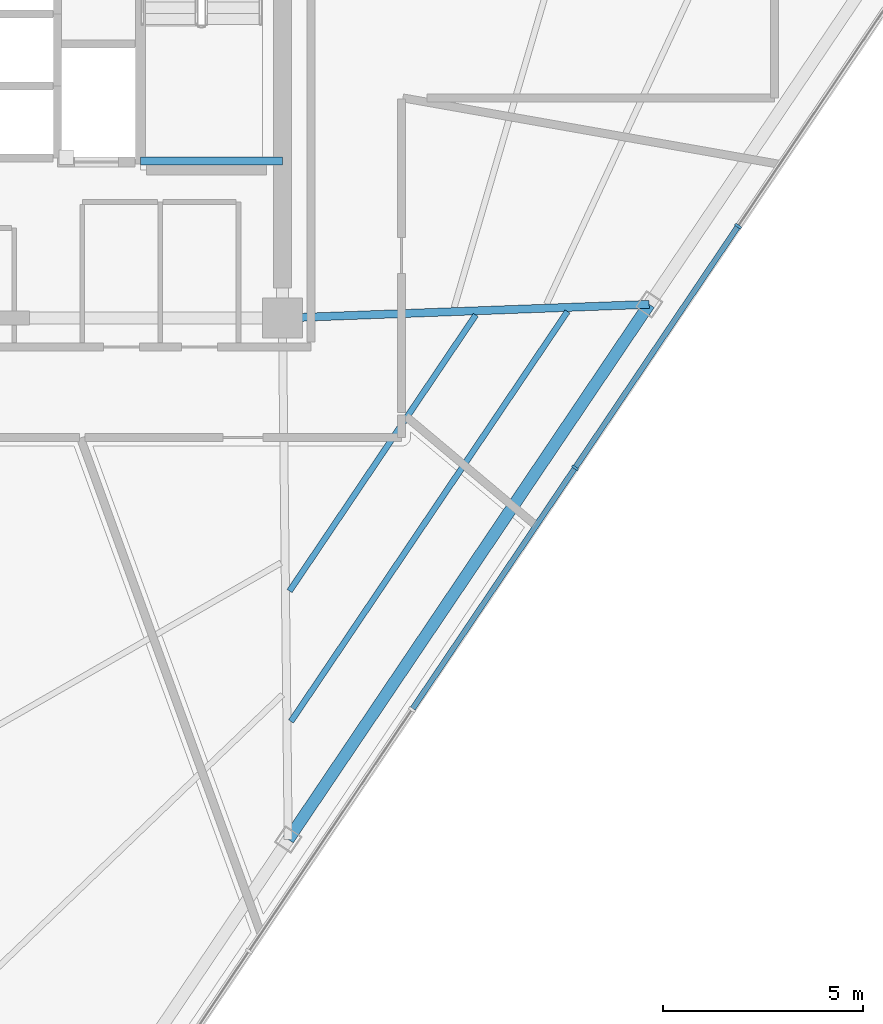
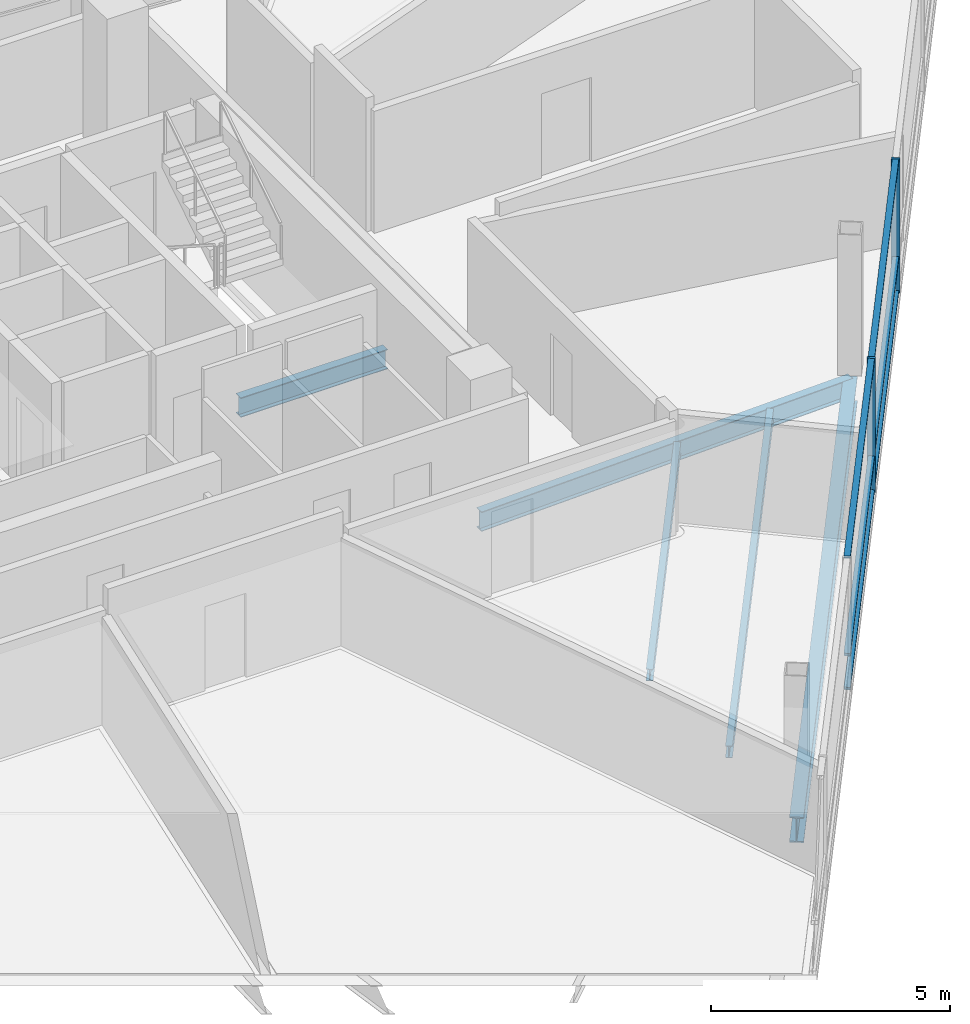
# One storey, part 4 of 14: 8 members, 5 beams, 1 element without a shape of its own.
"""IFC4 building model written with IfcOpenShell, lengths in metres."""

from ifc_helpers import new_model, si_unit, direction, frame, origin, origin_2d, place, context, subcontext, project, spatial, rectangle, i_section, extrude, material, layer, layer_set, material_profile, profile_set, type_object, element, aggregate, save


model = new_model("IFC4")

# Units and contexts
model_context = context("Model", 3, precision=1e-05, world=origin(), true_north=direction((0.0, 1.0)))
body_context = subcontext(model_context, "Body", "Model", "MODEL_VIEW")
ifc_project = project(units=[si_unit("LENGTHUNIT", "METRE"), si_unit("AREAUNIT", "SQUARE_METRE"), si_unit("VOLUMEUNIT", "CUBIC_METRE"), si_unit("PLANEANGLEUNIT", "RADIAN"), si_unit("MASSUNIT", "GRAM", prefix="KILO")], contexts=[model_context])

# Site, building, storey
site_placement = place(None, origin())
site = spatial("IfcSite", under=ifc_project, at=site_placement, CompositionType="ELEMENT")
building_placement = place(site_placement, origin())
building = spatial("IfcBuilding", under=site, at=building_placement, Name="Tharavind Bronze Gate", CompositionType="ELEMENT")
storey_placement = place(building_placement, frame((0.0, 0.0, 237.85009765625)))
storey = spatial("IfcBuildingStorey", under=building, at=storey_placement, Name="L61", CompositionType="ELEMENT", Elevation=237.85009765625)

# Curtain wall, members
ifc_material_1 = material(Name="Anodised Bronze Aluminium", Category="aluminium")
ifc_layer = layer(ifc_material_1, 0.219970703125)
ifc_layer_set = layer_set([ifc_layer], Name="Anodised Bronze Aluminium")
curtain_wall_type = type_object("IfcCurtainWallType", Name="UNITISED CURTAIN WALL UPPER OFFICE", PredefinedType="USERDEFINED", material=ifc_layer_set)
curtain_wall_placement = place(storey_placement, origin())
curtain_wall = element("IfcCurtainWall", 1, at=curtain_wall_placement, inside=storey, type_object=curtain_wall_type, Name="L61 unitised curtain wall upper office CW-L61-S2", ObjectType="UNITISED CURTAIN WALL", PredefinedType="USERDEFINED")
member_type_1 = type_object("IfcMemberType", Name="CURTAIN WALL BRONZE MULLION 65X180", PredefinedType="MULLION", material=ifc_material_1)
member_1_placement = place(storey_placement, frame((16.212890625, -11.34326171875, 0.0), z_axis=(0.0, 0.0, 1.0), x_axis=(0.559192903471, 0.829037572555, 0.0)))
member_1 = element("IfcMember", 2, at=member_1_placement, type_object=member_type_1, Name="CW-L61-S2 mullion 5", PredefinedType="MULLION", context=body_context, shape_type="SweptSolid", body=[
    extrude(rectangle(XDim=0.06494140625, YDim=0.179931640625, at=origin_2d()), origin(), (0.0, 0.0, 1.0), 3.419921875),
])
member_2_placement = place(storey_placement, frame((20.285400390625, -5.305419921875, 0.0), z_axis=(0.0, 0.0, 1.0), x_axis=(0.559192903471, 0.829037572555, 0.0)))
member_2 = element("IfcMember", 3, at=member_2_placement, type_object=member_type_1, Name="CW-L61-S2 mullion 6", PredefinedType="MULLION", context=body_context, shape_type="SweptSolid", body=[
    extrude(rectangle(XDim=0.06494140625, YDim=0.179931640625, at=origin_2d()), origin(), (0.0, 0.0, 1.0), 3.419921875),
])
member_type_2 = type_object("IfcMemberType", Name="CURTAIN WALL BRONZE TRANSOM 65X140", PredefinedType="USERDEFINED", material=ifc_material_1)
member_3_placement = place(storey_placement, frame((14.176513671875, -14.3623046875, 0.0), z_axis=(0.0, 0.0, 1.0), x_axis=(0.559192903471, 0.829037572555, 0.0)))
member_3 = element("IfcMember", 4, at=member_3_placement, type_object=member_type_2, Name="CW-L61-S2 transom TB4", ObjectType="TRANSOM", PredefinedType="USERDEFINED", context=body_context, shape_type="SweptSolid", body=[
    extrude(rectangle(XDim=7.22998046875, YDim=0.139892578125, at=origin_2d()), origin(), (0.0, 0.0, 1.0), 0.06494140625),
])
member_4_placement = place(storey_placement, frame((14.176513671875, -14.3623046875, 0.867431640625), z_axis=(0.0, 0.0, 1.0), x_axis=(0.559192903471, 0.829037572555, 0.0)))
member_4 = element("IfcMember", 5, at=member_4_placement, type_object=member_type_2, Name="CW-L61-S2 transom TS4", ObjectType="TRANSOM", PredefinedType="USERDEFINED", context=body_context, shape_type="SweptSolid", body=[
    extrude(rectangle(XDim=7.22998046875, YDim=0.139892578125, at=origin_2d()), origin(), (0.0, 0.0, 1.0), 0.06494140625),
])
member_5_placement = place(storey_placement, frame((14.176513671875, -14.3623046875, 3.35498046875), z_axis=(0.0, 0.0, 1.0), x_axis=(0.559192903471, 0.829037572555, 0.0)))
member_5 = element("IfcMember", 6, at=member_5_placement, type_object=member_type_2, Name="CW-L61-S2 transom TT4", ObjectType="TRANSOM", PredefinedType="USERDEFINED", context=body_context, shape_type="SweptSolid", body=[
    extrude(rectangle(XDim=7.22998046875, YDim=0.139892578125, at=origin_2d()), origin(), (0.0, 0.0, 1.0), 0.06494140625),
])
member_6_placement = place(storey_placement, frame((18.2490234375, -8.324462890625, 0.0), z_axis=(0.0, 0.0, 1.0), x_axis=(0.559192903471, 0.829037572555, 0.0)))
member_6 = element("IfcMember", 7, at=member_6_placement, type_object=member_type_2, Name="CW-L61-S2 transom TB5", ObjectType="TRANSOM", PredefinedType="USERDEFINED", context=body_context, shape_type="SweptSolid", body=[
    extrude(rectangle(XDim=7.22998046875, YDim=0.139892578125, at=origin_2d()), origin(), (0.0, 0.0, 1.0), 0.06494140625),
])
member_7_placement = place(storey_placement, frame((18.2490234375, -8.324462890625, 0.867431640625), z_axis=(0.0, 0.0, 1.0), x_axis=(0.559192903471, 0.829037572555, 0.0)))
member_7 = element("IfcMember", 8, at=member_7_placement, type_object=member_type_2, Name="CW-L61-S2 transom TS5", ObjectType="TRANSOM", PredefinedType="USERDEFINED", context=body_context, shape_type="SweptSolid", body=[
    extrude(rectangle(XDim=7.22998046875, YDim=0.139892578125, at=origin_2d()), origin(), (0.0, 0.0, 1.0), 0.06494140625),
])
member_8_placement = place(storey_placement, frame((18.2490234375, -8.324462890625, 3.35498046875), z_axis=(0.0, 0.0, 1.0), x_axis=(0.559192903471, 0.829037572555, 0.0)))
member_8 = element("IfcMember", 9, at=member_8_placement, type_object=member_type_2, Name="CW-L61-S2 transom TT5", ObjectType="TRANSOM", PredefinedType="USERDEFINED", context=body_context, shape_type="SweptSolid", body=[
    extrude(rectangle(XDim=7.22998046875, YDim=0.139892578125, at=origin_2d()), origin(), (0.0, 0.0, 1.0), 0.06494140625),
])
aggregate(curtain_wall, [member_1, member_2, member_3, member_4, member_5, member_6, member_7, member_8])

# Beams
ifc_material_2 = material(Name="Steel S355", Category="steel")
ifc_material_profile_1 = material_profile(ifc_material_2, i_section(OverallWidth=0.300048828125, OverallDepth=0.64990234375, WebThickness=0.01611328125, FlangeThickness=0.031005859375, at=origin_2d()), Name="HE650B")
ifc_profile_set_1 = profile_set([ifc_material_profile_1], Name="Steel S355")
beam_type_1 = type_object("IfcBeamType", Name="PRIMARY GIRDER HE650B", PredefinedType="USERDEFINED", material=ifc_profile_set_1)
beam_1_placement = place(storey_placement, frame((9.045654296875, -20.627685546875, -0.505126953125), z_axis=(0.559202164633, 0.829031325747, 0.0), x_axis=(-0.829031325747, 0.559202164633, 0.0)))
element("IfcBeam", 10, at=beam_1_placement, inside=storey, type_object=beam_type_1, Name="L61 primary girder he650b BM-L61-PRG06", ObjectType="GIRDER", PredefinedType="USERDEFINED", context=body_context, shape_type="SweptSolid", body=[
    extrude(i_section(OverallWidth=0.300048828125, OverallDepth=0.64990234375, WebThickness=0.01611328125, FlangeThickness=0.031005859375, at=origin_2d()), origin(), (0.0, 0.0, 1.0), 16.127197265625),
])
ifc_material_profile_2 = material_profile(ifc_material_2, i_section(OverallWidth=0.199951171875, OverallDepth=0.5, WebThickness=0.01025390625, FlangeThickness=0.01611328125, at=origin_2d()), Name="IPE500")
ifc_profile_set_2 = profile_set([ifc_material_profile_2], Name="Steel S355")
beam_type_2 = type_object("IfcBeamType", Name="PRIMARY GIRDER IPE500", PredefinedType="USERDEFINED", material=ifc_profile_set_2)
beam_2_placement = place(storey_placement, frame((5.35009765625, -3.679931640625, 1.349853515625), z_axis=(1.0, 0.0, 0.0), x_axis=(0.0, 1.0, 0.0)))
element("IfcBeam", 11, at=beam_2_placement, inside=storey, type_object=beam_type_2, Name="L61 primary girder ipe500 BM-LD-ST2-L61-1", ObjectType="GIRDER", PredefinedType="USERDEFINED", context=body_context, shape_type="SweptSolid", body=[
    extrude(i_section(OverallWidth=0.199951171875, OverallDepth=0.5, WebThickness=0.01025390625, FlangeThickness=0.01611328125, at=origin_2d()), origin(), (0.0, 0.0, 1.0), 3.5498046875),
])
beam_3_placement = place(storey_placement, frame((18.06396484375, -7.2578125, -0.43017578125), z_axis=(-0.999303187499, -0.037324783378, 0.0), x_axis=(0.037324783378, -0.999303187499, 0.0)))
element("IfcBeam", 12, at=beam_3_placement, inside=storey, type_object=beam_type_2, Name="L61 primary girder ipe500 BM-L61-RAD07", ObjectType="GIRDER", PredefinedType="USERDEFINED", context=body_context, shape_type="SweptSolid", body=[
    extrude(i_section(OverallWidth=0.199951171875, OverallDepth=0.5, WebThickness=0.01025390625, FlangeThickness=0.01611328125, at=origin_2d()), origin(), (0.0, 0.0, 1.0), 9.17041015625),
])
ifc_material_profile_3 = material_profile(ifc_material_2, i_section(OverallWidth=0.14990234375, OverallDepth=0.300048828125, WebThickness=0.007080078125, FlangeThickness=0.0107421875, at=origin_2d()), Name="IPE300")
ifc_profile_set_3 = profile_set([ifc_material_profile_3], Name="Steel S355")
beam_type_3 = type_object("IfcBeamType", Name="SECONDARY FLOOR JOIST IPE300", PredefinedType="JOIST", material=ifc_profile_set_3)
beam_4_placement = place(storey_placement, frame((9.07861328125, -14.420654296875, -0.330078125), z_axis=(0.559181536452, 0.829045239593, 0.0), x_axis=(-0.829045239593, 0.559181536452, 0.0)))
element("IfcBeam", 13, at=beam_4_placement, inside=storey, type_object=beam_type_3, Name="L61 secondary floor joist ipe300 BM-L61-JSTA06", PredefinedType="JOIST", context=body_context, shape_type="SweptSolid", body=[
    extrude(i_section(OverallWidth=0.14990234375, OverallDepth=0.300048828125, WebThickness=0.007080078125, FlangeThickness=0.0107421875, at=origin_2d()), origin(), (0.0, 0.0, 1.0), 8.3203125),
])
beam_5_placement = place(storey_placement, frame((9.114990234375, -17.677734375, -0.330078125), z_axis=(0.559189375042, 0.8290399525, 0.0), x_axis=(-0.8290399525, 0.559189375042, 0.0)))
element("IfcBeam", 14, at=beam_5_placement, inside=storey, type_object=beam_type_3, Name="L61 secondary floor joist ipe300 BM-L61-JSTB06", PredefinedType="JOIST", context=body_context, shape_type="SweptSolid", body=[
    extrude(i_section(OverallWidth=0.14990234375, OverallDepth=0.300048828125, WebThickness=0.007080078125, FlangeThickness=0.0107421875, at=origin_2d()), origin(), (0.0, 0.0, 1.0), 12.352294921875),
])

save(model, "model.ifc")
